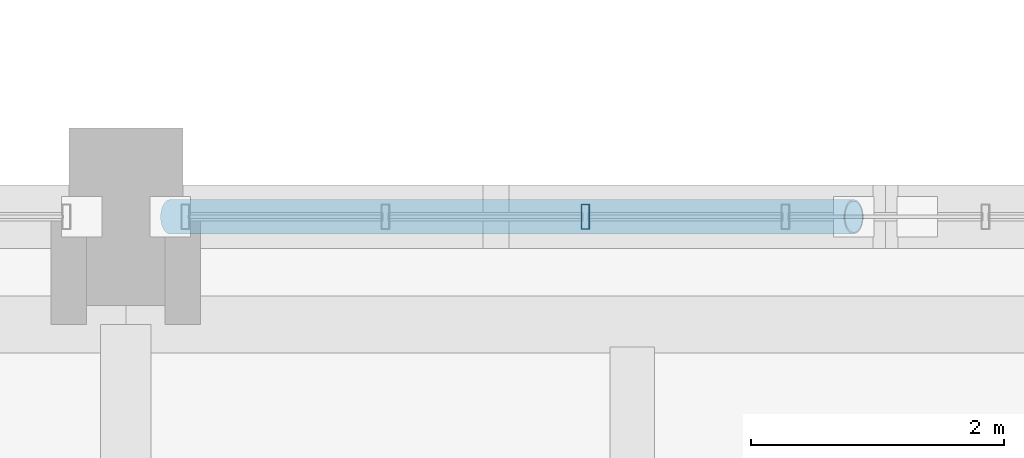
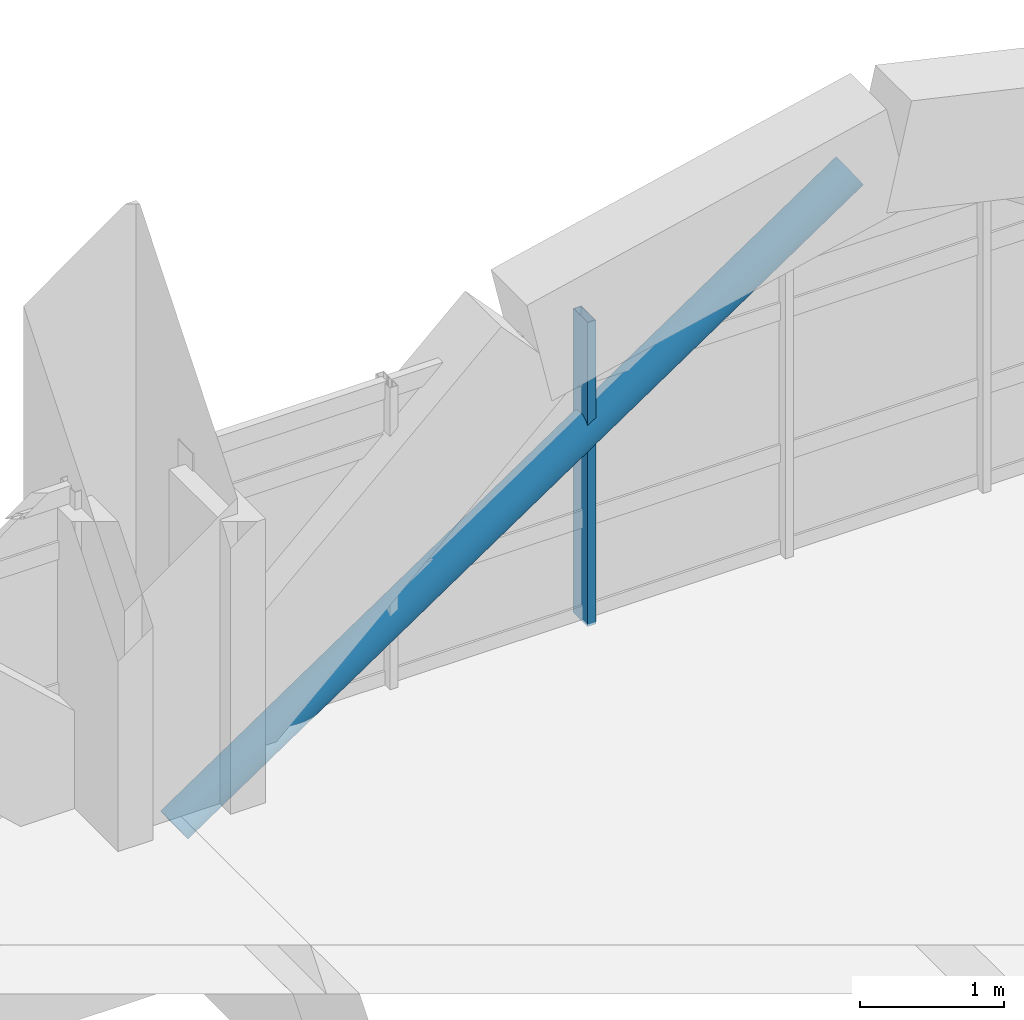
# One storey, part 35 of 161: 2 members, 1 element without a shape of its own.
"""IFC4 building model written with IfcOpenShell, lengths in metres."""

from ifc_helpers import new_model, si_unit, direction, frame, origin, origin_2d, place, context, subcontext, project, spatial, hollow_rectangle, hollow_circle, extrude, material, layer, layer_set, material_profile, profile_set, type_object, element, aggregate, save


model = new_model("IFC4")

# Units and contexts
model_context = context("Model", 3, precision=1e-05, world=origin(), true_north=direction((0.0, 1.0)))
body_context = subcontext(model_context, "Body", "Model", "MODEL_VIEW")
ifc_project = project(units=[si_unit("LENGTHUNIT", "METRE"), si_unit("AREAUNIT", "SQUARE_METRE"), si_unit("VOLUMEUNIT", "CUBIC_METRE"), si_unit("PLANEANGLEUNIT", "RADIAN"), si_unit("MASSUNIT", "GRAM", prefix="KILO")], contexts=[model_context])

# Site, building, storey
site_placement = place(None, origin())
site = spatial("IfcSite", under=ifc_project, at=site_placement, CompositionType="ELEMENT")
building_placement = place(site_placement, origin())
building = spatial("IfcBuilding", under=site, at=building_placement, Name="Mersad Railyard Sports Hall", CompositionType="ELEMENT")
storey_placement = place(building_placement, frame((0.0, 0.0, 4.800048828125)))
storey = spatial("IfcBuildingStorey", under=building, at=storey_placement, Name="L01", CompositionType="ELEMENT", Elevation=4.800048828125)

# Curtain wall, member
ifc_material_1 = material(Name="Aluminium 6063-T6", Category="aluminium")
ifc_layer = layer(ifc_material_1, 0.199951171875)
ifc_layer_set = layer_set([ifc_layer], Name="Aluminium 6063-T6")
curtain_wall_type = type_object("IfcCurtainWallType", Name="ARC-CW-CW02", PredefinedType="USERDEFINED", material=ifc_layer_set)
curtain_wall_placement = place(storey_placement, origin())
curtain_wall = element("IfcCurtainWall", 1, at=curtain_wall_placement, inside=storey, type_object=curtain_wall_type, Name="Curtain wall CW02-0018", ObjectType="CURTAIN WALL", PredefinedType="USERDEFINED")
ifc_material_profile_1 = material_profile(ifc_material_1, hollow_rectangle(XDim=0.06494140625, YDim=0.199951171875, WallThickness=0.0048828125, at=origin_2d()), Name="AL MULLION 65x200x5")
ifc_profile_set_1 = profile_set([ifc_material_profile_1], Name="Aluminium 6063-T6")
member_type_1 = type_object("IfcMemberType", Name="ARC-CW-MUL02", PredefinedType="MULLION", material=ifc_profile_set_1)
member_1_placement = place(storey_placement, frame((70.6298828125, 53.5, -0.02001953125), z_axis=(0.0, 0.0, 1.0), x_axis=(1.0, 0.0, 0.0)))
member_1 = element("IfcMember", 2, at=member_1_placement, type_object=member_type_1, Name="CW02 Mullion 3", PredefinedType="MULLION", context=body_context, shape_type="SweptSolid", body=[
    extrude(hollow_rectangle(XDim=0.06494140625, YDim=0.199951171875, WallThickness=0.0048828125, at=origin_2d()), origin(), (0.0, 0.0, 1.0), 2.570068359375),
])
aggregate(curtain_wall, [member_1])

# Member
ifc_material_2 = material(Name="Steel S355", Category="steel")
ifc_material_profile_2 = material_profile(ifc_material_2, hollow_circle(Radius=0.136474609375, WallThickness=0.012451171875, at=origin_2d()), Name="CHS 273x12.5")
ifc_profile_set_2 = profile_set([ifc_material_profile_2], Name="Steel S355")
member_type_2 = type_object("IfcMemberType", Name="STR-MEM-BR02", PredefinedType="BRACE", material=ifc_profile_set_2)
member_2_placement = place(storey_placement, frame((67.35009765625, 53.5, -0.6201171875), z_axis=(0.829190125257, 0.0, 0.558966668215), x_axis=(0.0, 1.0, 0.0)))
element("IfcMember", 3, at=member_2_placement, inside=storey, type_object=member_type_2, Name="Structural member BR02-0023", PredefinedType="BRACE", context=body_context, shape_type="SweptSolid", body=[
    extrude(hollow_circle(Radius=0.136474609375, WallThickness=0.012451171875, at=origin_2d()), origin(), (0.0, 0.0, 1.0), 6.51220703125),
])

save(model, "model.ifc")
